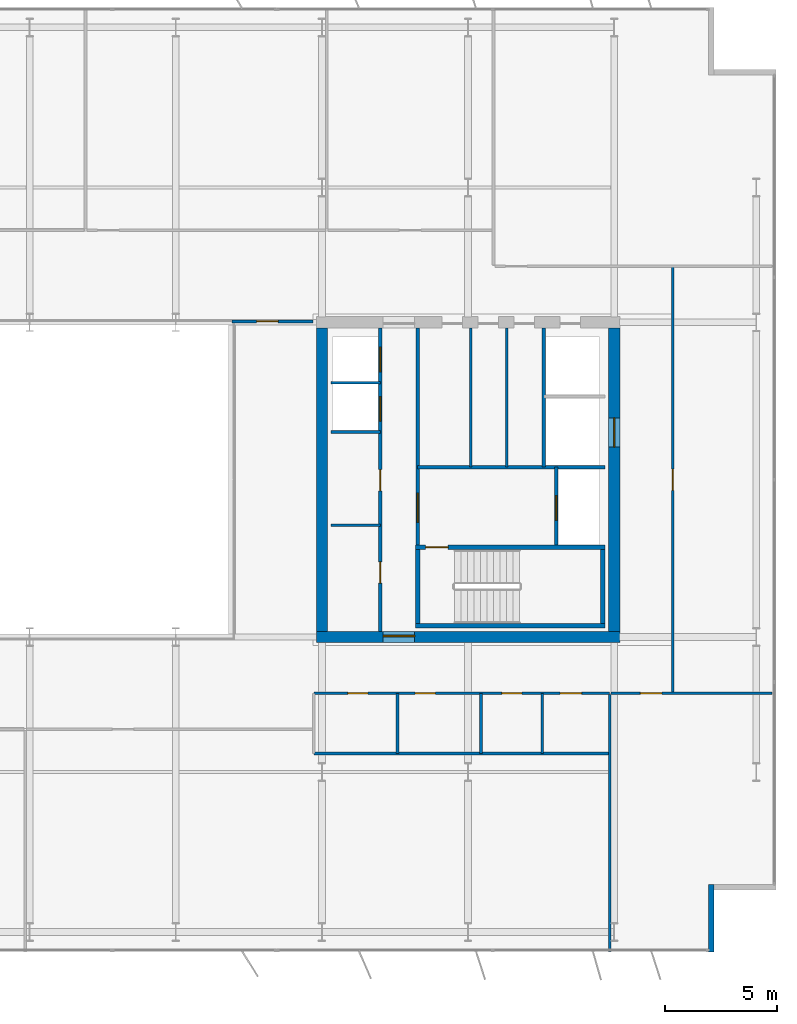
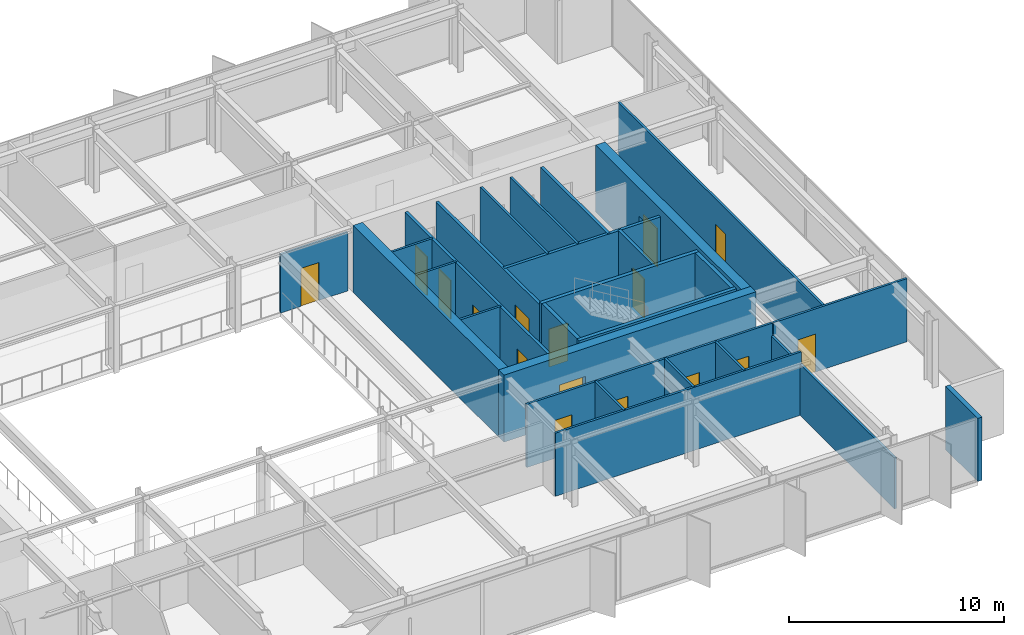
# One storey, part 18 of 23: 27 walls, 16 doors, 16 openings.
"""IFC4 building model written with IfcOpenShell, lengths in metres."""

from ifc_helpers import new_model, si_unit, direction, frame, frame_2d, origin, place, context, subcontext, project, spatial, rectangle, extrude, material, layer, layer_set, type_object, element, fill, save


model = new_model("IFC4")

# Units and contexts
model_context = context("Model", 3, precision=1e-05, world=origin(), true_north=direction((0.0, 1.0)))
body_context = subcontext(model_context, "Body", "Model", "MODEL_VIEW")
ifc_project = project(units=[si_unit("LENGTHUNIT", "METRE"), si_unit("AREAUNIT", "SQUARE_METRE"), si_unit("VOLUMEUNIT", "CUBIC_METRE"), si_unit("PLANEANGLEUNIT", "RADIAN"), si_unit("MASSUNIT", "GRAM", prefix="KILO")], contexts=[model_context])

# Site, building, storey
site_placement = place(None, origin())
site = spatial("IfcSite", under=ifc_project, at=site_placement, CompositionType="ELEMENT")
building_placement = place(site_placement, origin())
building = spatial("IfcBuilding", under=site, at=building_placement, Name="Putna Gate Headquarters", CompositionType="ELEMENT")
storey_placement = place(building_placement, frame((0.0, 0.0, 213.800048828125)))
storey = spatial("IfcBuildingStorey", under=building, at=storey_placement, Name="L53", CompositionType="ELEMENT", Elevation=213.800048828125)

# Wall, opening, door
ifc_material_1 = material(Name="Concrete C50/60", Category="concrete")
ifc_layer_1 = layer(ifc_material_1, 0.5)
ifc_layer_set_1 = layer_set([ifc_layer_1], Name="Concrete C50/60")
wall_type_1 = type_object("IfcWallType", Name="WALL-CORE-500", PredefinedType="SHEAR", material=ifc_layer_set_1)
wall_1_placement = place(storey_placement, frame((51.75, 19.0, 0.0), z_axis=(0.0, 0.0, 1.0), x_axis=(1.0, 0.0, 0.0)))
wall_1 = element("IfcWall", 1, at=wall_1_placement, inside=storey, type_object=wall_type_1, Name="L53 EC Split Core Shear Wall S", PredefinedType="SHEAR", context=body_context, shape_type="SweptSolid", body=[
    extrude(rectangle(XDim=13.5, YDim=0.5, at=frame_2d((6.75, 0.0))), origin(), (0.0, 0.0, 1.0), 3.800048828125),
])
opening_1_placement = place(wall_1_placement, frame((2.969970703125, 0.0, 0.0)))
opening_1 = element("IfcOpeningElement", 2, at=opening_1_placement, cuts=wall_1, Name="Opening FDD-140", PredefinedType="OPENING", context=body_context, shape_type="SweptSolid", body=[
    extrude(rectangle(XDim=1.39990234375, YDim=2.199951171875, at=frame_2d((0.699951171875, 1.10009765625))), frame((0.0, 0.260009765625, 0.0), z_axis=(0.0, -1.0, 0.0), x_axis=(1.0, 0.0, 0.0)), (0.0, 0.0, 1.0), 0.52001953125),
])
ifc_material_2 = material(Name="Double steel fire door", Category="steel")
door_type_1 = type_object("IfcDoorType", Name="DOOR-FIRE-DBL-1400", OperationType="DOUBLE_DOOR_SINGLE_SWING", PredefinedType="DOOR", material=ifc_material_2)
door_1_placement = place(opening_1_placement, origin())
door_1 = element("IfcDoor", 3, at=door_1_placement, inside=storey, type_object=door_type_1, Name="L53 East Lift Lobby South Door", OperationType="DOUBLE_DOOR_SINGLE_SWING", OverallHeight=2.199951171875, OverallWidth=1.39990234375, PredefinedType="DOOR", context=body_context, shape_type="SweptSolid", body=[
    extrude(rectangle(XDim=1.39990234375, YDim=2.199951171875, at=frame_2d((0.699951171875, 1.10009765625))), frame((0.0, 0.0751953125, 0.0), z_axis=(0.0, -1.0, 0.0), x_axis=(1.0, 0.0, 0.0)), (0.0, 0.0, 1.0), 0.050048828125),
])
fill(opening_1, door_1)

# Wall
wall_2_placement = place(storey_placement, frame((52.0, 19.25, 0.0), z_axis=(0.0, 0.0, 1.0), x_axis=(0.0, 1.0, 0.0)))
element("IfcWall", 4, at=wall_2_placement, inside=storey, type_object=wall_type_1, Name="L53 EC Split Core Shear Wall W", PredefinedType="SHEAR", context=body_context, shape_type="SweptSolid", body=[
    extrude(rectangle(XDim=13.5, YDim=0.5, at=frame_2d((6.75, 0.0))), origin(), (0.0, 0.0, 1.0), 3.800048828125),
])

# Wall, opening, door
wall_3_placement = place(storey_placement, frame((65.0, 19.25, 0.0), z_axis=(0.0, 0.0, 1.0), x_axis=(0.0, 1.0, 0.0)))
wall_3 = element("IfcWall", 5, at=wall_3_placement, inside=storey, type_object=wall_type_1, Name="L53 EC Split Core Shear Wall E", PredefinedType="SHEAR", context=body_context, shape_type="SweptSolid", body=[
    extrude(rectangle(XDim=13.5, YDim=0.5, at=frame_2d((6.75, 0.0))), origin(), (0.0, 0.0, 1.0), 3.800048828125),
])
opening_2_placement = place(wall_3_placement, frame((8.199951171875, 0.0, 0.0)))
opening_2 = element("IfcOpeningElement", 6, at=opening_2_placement, cuts=wall_3, Name="Opening LD-2", PredefinedType="OPENING", context=body_context, shape_type="SweptSolid", body=[
    extrude(rectangle(XDim=1.300048828125, YDim=2.199951171875, at=frame_2d((0.64990234375, 1.10009765625))), frame((0.0, 0.260009765625, 0.0), z_axis=(0.0, -1.0, 0.0), x_axis=(1.0, 0.0, 0.0)), (0.0, 0.0, 1.0), 0.52001953125),
])
ifc_material_3 = material(Name="Heavy-duty goods lift sliding landing door")
door_type_2 = type_object("IfcDoorType", Name="DOOR-LIFT-1300", OperationType="DOUBLE_DOOR_SLIDING", PredefinedType="DOOR", material=ifc_material_3)
door_2_placement = place(opening_2_placement, origin())
door_2 = element("IfcDoor", 7, at=door_2_placement, inside=storey, type_object=door_type_2, Name="L53 Goods Lift Landing Door LD-15", OperationType="DOUBLE_DOOR_SLIDING", OverallHeight=2.199951171875, OverallWidth=1.300048828125, PredefinedType="DOOR", context=body_context, shape_type="SweptSolid", body=[
    extrude(rectangle(XDim=1.300048828125, YDim=2.199951171875, at=frame_2d((0.64990234375, 1.10009765625))), frame((0.0, 0.02490234375, 0.0), z_axis=(0.0, -1.0, 0.0), x_axis=(1.0, 0.0, 0.0)), (0.0, 0.0, 1.0), 0.050048828125),
])
fill(opening_2, door_2)

# Wall
ifc_material_4 = material(Name="Precast concrete C40/50", Category="concrete")
ifc_layer_2 = layer(ifc_material_4, 0.239990234375)
ifc_layer_set_2 = layer_set([ifc_layer_2], Name="Precast concrete C40/50")
wall_type_2 = type_object("IfcWallType", Name="WALL-EXT-TERR-240", PredefinedType="STANDARD", material=ifc_layer_set_2)
wall_4_placement = place(storey_placement, frame((69.320068359375, 8.0, 0.0), z_axis=(0.0, 0.0, 1.0), x_axis=(0.0, -1.0, 0.0)))
element("IfcWall", 8, at=wall_4_placement, inside=storey, type_object=wall_type_2, Name="L53 Corner Notch Return Wall SE-V", PredefinedType="STANDARD", context=body_context, shape_type="SweptSolid", body=[
    extrude(rectangle(XDim=3.0, YDim=0.239990234375, at=frame_2d((1.5, 0.0))), origin(), (0.0, 0.0, 1.0), 3.579833984375),
])

# Wall, opening, door
ifc_material_5 = material(Name="Acoustic gypsum board on metal stud")
ifc_layer_3 = layer(ifc_material_5, 0.1201171875)
ifc_layer_set_3 = layer_set([ifc_layer_3], Name="Acoustic gypsum board on metal stud")
wall_type_3 = type_object("IfcWallType", Name="WALL-PART-120", PredefinedType="PARTITIONING", material=ifc_layer_set_3)
wall_5_placement = place(storey_placement, frame((48.0, 33.0400390625, 0.0), z_axis=(0.0, 0.0, 1.0), x_axis=(1.0, 0.0, 0.0)))
wall_5 = element("IfcWall", 9, at=wall_5_placement, inside=storey, type_object=wall_type_3, Name="L53 Interior Wall PART-L53-ATR-E-N", PredefinedType="PARTITIONING", context=body_context, shape_type="SweptSolid", body=[
    extrude(rectangle(XDim=3.60009765625, YDim=0.1201171875, at=frame_2d((1.800048828125, 0.0))), origin(), (0.0, 0.0, 1.0), 3.320068359375),
])
opening_3_placement = place(wall_5_placement, frame((1.10009765625, 0.0, 0.0)))
opening_3 = element("IfcOpeningElement", 10, at=opening_3_placement, cuts=wall_5, Name="Opening ID-95", PredefinedType="OPENING", context=body_context, shape_type="SweptSolid", body=[
    extrude(rectangle(XDim=0.949951171875, YDim=2.14990234375, at=frame_2d((0.47509765625, 1.074951171875))), frame((0.0, 0.070068359375, 0.0), z_axis=(0.0, -1.0, 0.0), x_axis=(1.0, 0.0, 0.0)), (0.0, 0.0, 1.0), 0.14013671875),
])
ifc_material_6 = material(Name="Veneered acoustic timber door", Category="wood")
door_type_3 = type_object("IfcDoorType", Name="DOOR-OFF-950", OperationType="NOTDEFINED", PredefinedType="DOOR", material=ifc_material_6)
door_3_placement = place(opening_3_placement, origin())
door_3 = element("IfcDoor", 11, at=door_3_placement, inside=storey, type_object=door_type_3, Name="L53 East Sky Atrium Lounge Door", OperationType="SINGLE_SWING_LEFT", OverallHeight=2.14990234375, OverallWidth=0.949951171875, PredefinedType="DOOR", context=body_context, shape_type="SweptSolid", body=[
    extrude(rectangle(XDim=0.949951171875, YDim=2.14990234375, at=frame_2d((0.47509765625, 1.074951171875))), frame((0.0, 0.02490234375, 0.0), z_axis=(0.0, -1.0, 0.0), x_axis=(1.0, 0.0, 0.0)), (0.0, 0.0, 1.0), 0.050048828125),
])
fill(opening_3, door_3)

# Walls
wall_6_placement = place(storey_placement, frame((64.800048828125, 5.02001953125, 0.0), z_axis=(0.0, 0.0, 1.0), x_axis=(0.0, 1.0, 0.0)))
element("IfcWall", 12, at=wall_6_placement, inside=storey, type_object=wall_type_3, Name="L53 Interior Wall PART-L53-SB-DIV-07", PredefinedType="PARTITIONING", context=body_context, shape_type="SweptSolid", body=[
    extrude(rectangle(XDim=11.419921875, YDim=0.1201171875, at=frame_2d((5.7099609375, 0.0))), origin(), (0.0, 0.0, 1.0), 2.8798828125),
])
ifc_material_7 = material(Name="Fire-rated shaftwall gypsum board on metal stud")
ifc_layer_4 = layer(ifc_material_7, 0.1201171875)
ifc_layer_set_4 = layer_set([ifc_layer_4], Name="Fire-rated shaftwall gypsum board on metal stud")
wall_type_4 = type_object("IfcWallType", Name="WALL-PART-120-EI120", PredefinedType="PARTITIONING", material=ifc_layer_set_4)
wall_7_placement = place(storey_placement, frame((52.39990234375, 30.31005859375, 0.0), z_axis=(0.0, 0.0, 1.0), x_axis=(1.0, 0.0, 0.0)))
element("IfcWall", 13, at=wall_7_placement, inside=storey, type_object=wall_type_4, Name="L53 Interior Wall CWINT-L53-EC-LF11-DIV", PredefinedType="PARTITIONING", context=body_context, shape_type="SweptSolid", body=[
    extrude(rectangle(XDim=2.2001953125, YDim=0.1201171875, at=frame_2d((1.10009765625, 0.0))), origin(), (0.0, 0.0, 1.0), 3.579833984375),
])
ifc_material_8 = material(Name="Fire-rated gypsum board on metal stud")
ifc_layer_5 = layer(ifc_material_8, 0.1201171875)
ifc_layer_set_5 = layer_set([ifc_layer_5], Name="Fire-rated gypsum board on metal stud")
wall_type_5 = type_object("IfcWallType", Name="WALL-PART-120-RATED", PredefinedType="PARTITIONING", material=ifc_layer_set_5)
for number, where, z_axis, x_axis, name in (
    (14, (52.39990234375, 23.969970703125, 0.0), (0.0, 0.0, 1.0), (1.0, 0.0, 0.0), "L53 Interior Wall CWINT-L53-EC-REUSE-DIV"),
    (15, (52.39990234375, 28.1201171875, 0.0), (0.0, 0.0, 1.0), (1.0, 0.0, 0.0), "L53 Interior Wall CWINT-L53-EC-LF08-DIV"),
):
    element("IfcWall", number, at=place(storey_placement, frame(where, z_axis=z_axis, x_axis=x_axis)), inside=storey, type_object=wall_type_5, Name=name, PredefinedType="PARTITIONING", context=body_context, shape_type="SweptSolid", body=[
        extrude(rectangle(XDim=2.2001953125, YDim=0.1201171875, at=frame_2d((1.10009765625, 0.0))), origin(), (0.0, 0.0, 1.0), 3.579833984375),
    ])
for number, where, z_axis, x_axis, name in (
    (16, (58.6201171875, 26.56005859375, 0.0), (0.0, 0.0, 1.0), (0.0, 1.0, 0.0), "L53 Interior Wall CWINT-L53-EC-K2-D1"),
    (17, (60.219970703125, 26.56005859375, 0.0), (0.0, 0.0, 1.0), (0.0, 1.0, 0.0), "L53 Interior Wall CWINT-L53-EC-K2-D2"),
):
    element("IfcWall", number, at=place(storey_placement, frame(where, z_axis=z_axis, x_axis=x_axis)), inside=storey, type_object=wall_type_5, Name=name, PredefinedType="PARTITIONING", context=body_context, shape_type="SweptSolid", body=[
        extrude(rectangle(XDim=6.18994140625, YDim=0.1201171875, at=frame_2d((3.094970703125, 0.0))), origin(), (0.0, 0.0, 1.0), 3.579833984375),
    ])

# Wall, openings, doors
wall_8_placement = place(storey_placement, frame((51.639892578125, 16.5, 0.0), z_axis=(0.0, 0.0, 1.0), x_axis=(1.0, 0.0, 0.0)))
wall_8 = element("IfcWall", 18, at=wall_8_placement, inside=storey, type_object=wall_type_5, Name="L53 Interior Wall PART-L53-SAN-CW", PredefinedType="PARTITIONING", context=body_context, shape_type="SweptSolid", body=[
    extrude(rectangle(XDim=13.16015625, YDim=0.1201171875, at=frame_2d((6.580078125, 0.0))), origin(), (0.0, 0.0, 1.0), 3.579833984375),
])
opening_4_placement = place(wall_8_placement, frame((1.510009765625, 0.0, 0.0)))
opening_4 = element("IfcOpeningElement", 19, at=opening_4_placement, cuts=wall_8, Name="Opening FD-90", PredefinedType="OPENING", context=body_context, shape_type="SweptSolid", body=[
    extrude(rectangle(XDim=0.89990234375, YDim=2.14990234375, at=frame_2d((0.449951171875, 1.074951171875))), frame((0.0, 0.070068359375, 0.0), z_axis=(0.0, -1.0, 0.0), x_axis=(1.0, 0.0, 0.0)), (0.0, 0.0, 1.0), 0.14013671875),
])
opening_5_placement = place(wall_8_placement, frame((4.510009765625, 0.0, 0.0)))
opening_5 = element("IfcOpeningElement", 20, at=opening_5_placement, cuts=wall_8, Name="Opening FD-90", PredefinedType="OPENING", context=body_context, shape_type="SweptSolid", body=[
    extrude(rectangle(XDim=0.89990234375, YDim=2.14990234375, at=frame_2d((0.449951171875, 1.074951171875))), frame((0.0, 0.070068359375, 0.0), z_axis=(0.0, -1.0, 0.0), x_axis=(1.0, 0.0, 0.0)), (0.0, 0.0, 1.0), 0.14013671875),
])
opening_6_placement = place(wall_8_placement, frame((8.360107421875, 0.0, 0.0)))
opening_6 = element("IfcOpeningElement", 21, at=opening_6_placement, cuts=wall_8, Name="Opening FD-90", PredefinedType="OPENING", context=body_context, shape_type="SweptSolid", body=[
    extrude(rectangle(XDim=0.89990234375, YDim=2.14990234375, at=frame_2d((0.449951171875, 1.074951171875))), frame((0.0, 0.070068359375, 0.0), z_axis=(0.0, -1.0, 0.0), x_axis=(1.0, 0.0, 0.0)), (0.0, 0.0, 1.0), 0.14013671875),
])
opening_7_placement = place(wall_8_placement, frame((10.9599609375, 0.0, 0.0)))
opening_7 = element("IfcOpeningElement", 22, at=opening_7_placement, cuts=wall_8, Name="Opening FD-95", PredefinedType="OPENING", context=body_context, shape_type="SweptSolid", body=[
    extrude(rectangle(XDim=0.949951171875, YDim=2.14990234375, at=frame_2d((0.47509765625, 1.074951171875))), frame((0.0, 0.070068359375, 0.0), z_axis=(0.0, -1.0, 0.0), x_axis=(1.0, 0.0, 0.0)), (0.0, 0.0, 1.0), 0.14013671875),
])
ifc_material_9 = material(Name="Acoustic washroom fire door")
door_type_4 = type_object("IfcDoorType", Name="DOOR-FIRE-900", OperationType="NOTDEFINED", PredefinedType="DOOR", material=ifc_material_9)
door_4_placement = place(opening_4_placement, origin())
door_4 = element("IfcDoor", 23, at=door_4_placement, inside=storey, type_object=door_type_4, Name="L53 Washroom Male Door", OperationType="SINGLE_SWING_RIGHT", OverallHeight=2.14990234375, OverallWidth=0.89990234375, PredefinedType="DOOR", context=body_context, shape_type="SweptSolid", body=[
    extrude(rectangle(XDim=0.89990234375, YDim=2.14990234375, at=frame_2d((0.449951171875, 1.074951171875))), frame((0.0, 0.02490234375, 0.0), z_axis=(0.0, -1.0, 0.0), x_axis=(1.0, 0.0, 0.0)), (0.0, 0.0, 1.0), 0.050048828125),
])
fill(opening_4, door_4)
door_5_placement = place(opening_5_placement, origin())
door_5 = element("IfcDoor", 24, at=door_5_placement, inside=storey, type_object=door_type_4, Name="L53 Washroom Female Door", OperationType="SINGLE_SWING_LEFT", OverallHeight=2.14990234375, OverallWidth=0.89990234375, PredefinedType="DOOR", context=body_context, shape_type="SweptSolid", body=[
    extrude(rectangle(XDim=0.89990234375, YDim=2.14990234375, at=frame_2d((0.449951171875, 1.074951171875))), frame((0.0, 0.02490234375, 0.0), z_axis=(0.0, -1.0, 0.0), x_axis=(1.0, 0.0, 0.0)), (0.0, 0.0, 1.0), 0.050048828125),
])
fill(opening_5, door_5)
door_6_placement = place(opening_6_placement, origin())
door_6 = element("IfcDoor", 25, at=door_6_placement, inside=storey, type_object=door_type_4, Name="L53 Accessible WC Door", OperationType="SINGLE_SWING_RIGHT", OverallHeight=2.14990234375, OverallWidth=0.89990234375, PredefinedType="DOOR", context=body_context, shape_type="SweptSolid", body=[
    extrude(rectangle(XDim=0.89990234375, YDim=2.14990234375, at=frame_2d((0.449951171875, 1.074951171875))), frame((0.0, 0.02490234375, 0.0), z_axis=(0.0, -1.0, 0.0), x_axis=(1.0, 0.0, 0.0)), (0.0, 0.0, 1.0), 0.050048828125),
])
fill(opening_6, door_6)
ifc_material_10 = material(Name="Acoustic timber fire door", Category="wood")
door_type_5 = type_object("IfcDoorType", Name="DOOR-FIRE-950", OperationType="NOTDEFINED", PredefinedType="DOOR", material=ifc_material_10)
door_7_placement = place(opening_7_placement, origin())
door_7 = element("IfcDoor", 26, at=door_7_placement, inside=storey, type_object=door_type_5, Name="L53 Staff Pantry and Tea Point Door", OperationType="SINGLE_SWING_LEFT", OverallHeight=2.14990234375, OverallWidth=0.949951171875, PredefinedType="DOOR", context=body_context, shape_type="SweptSolid", body=[
    extrude(rectangle(XDim=0.949951171875, YDim=2.14990234375, at=frame_2d((0.47509765625, 1.074951171875))), frame((0.0, 0.02490234375, 0.0), z_axis=(0.0, -1.0, 0.0), x_axis=(1.0, 0.0, 0.0)), (0.0, 0.0, 1.0), 0.050048828125),
])
fill(opening_7, door_7)

# Walls
wall_9_placement = place(storey_placement, frame((51.639892578125, 13.820068359375, 0.0), z_axis=(0.0, 0.0, 1.0), x_axis=(1.0, 0.0, 0.0)))
element("IfcWall", 27, at=wall_9_placement, inside=storey, type_object=wall_type_5, Name="L53 Interior Wall PART-L53-SAN-BACK", PredefinedType="PARTITIONING", context=body_context, shape_type="SweptSolid", body=[
    extrude(rectangle(XDim=13.16015625, YDim=0.1201171875, at=frame_2d((6.580078125, 0.0))), origin(), (0.0, 0.0, 1.0), 3.579833984375),
])
for number, where, z_axis, x_axis, name in (
    (28, (55.360107421875, 13.820068359375, 0.0), (0.0, 0.0, 1.0), (0.0, 1.0, 0.0), "L53 Interior Wall PART-L53-SAN-DIV-2"),
    (29, (59.080078125, 13.820068359375, 0.0), (0.0, 0.0, 1.0), (0.0, 1.0, 0.0), "L53 Interior Wall PART-L53-SAN-DIV-3"),
    (30, (61.800048828125, 13.820068359375, 0.0), (0.0, 0.0, 1.0), (0.0, 1.0, 0.0), "L53 Interior Wall PART-L53-SAN-DIV-4"),
):
    element("IfcWall", number, at=place(storey_placement, frame(where, z_axis=z_axis, x_axis=x_axis)), inside=storey, type_object=wall_type_5, Name=name, PredefinedType="PARTITIONING", context=body_context, shape_type="SweptSolid", body=[
        extrude(rectangle(XDim=2.679931640625, YDim=0.1201171875, at=frame_2d((1.33984375, 0.0))), origin(), (0.0, 0.0, 1.0), 3.579833984375),
    ])

# Wall, opening, door
wall_10_placement = place(storey_placement, frame((64.860107421875, 16.5, 0.0), z_axis=(0.0, 0.0, 1.0), x_axis=(1.0, 0.0, 0.0)))
wall_10 = element("IfcWall", 31, at=wall_10_placement, inside=storey, type_object=wall_type_5, Name="L53 Interior Wall PART-L53-SB-CW-08", PredefinedType="PARTITIONING", context=body_context, shape_type="SweptSolid", body=[
    extrude(rectangle(XDim=7.159912109375, YDim=0.1201171875, at=frame_2d((3.580078125, 0.0))), origin(), (0.0, 0.0, 1.0), 3.579833984375),
])
opening_8_placement = place(wall_10_placement, frame((1.31005859375, 0.0, 0.0)))
opening_8 = element("IfcOpeningElement", 32, at=opening_8_placement, cuts=wall_10, Name="Opening FD-95", PredefinedType="OPENING", context=body_context, shape_type="SweptSolid", body=[
    extrude(rectangle(XDim=0.949951171875, YDim=2.14990234375, at=frame_2d((0.47509765625, 1.074951171875))), frame((0.0, 0.070068359375, 0.0), z_axis=(0.0, -1.0, 0.0), x_axis=(1.0, 0.0, 0.0)), (0.0, 0.0, 1.0), 0.14013671875),
])
door_8_placement = place(opening_8_placement, origin())
door_8 = element("IfcDoor", 33, at=door_8_placement, inside=storey, type_object=door_type_5, Name="L53 Quiet Wellness Focus Studio 3 Door", OperationType="SINGLE_SWING_LEFT", OverallHeight=2.14990234375, OverallWidth=0.949951171875, PredefinedType="DOOR", context=body_context, shape_type="SweptSolid", body=[
    extrude(rectangle(XDim=0.949951171875, YDim=2.14990234375, at=frame_2d((0.47509765625, 1.074951171875))), frame((0.0, 0.02490234375, 0.0), z_axis=(0.0, -1.0, 0.0), x_axis=(1.0, 0.0, 0.0)), (0.0, 0.0, 1.0), 0.050048828125),
])
fill(opening_8, door_8)

wall_11_placement = place(storey_placement, frame((67.60009765625, 16.5, 0.0), z_axis=(0.0, 0.0, 1.0), x_axis=(0.0, 1.0, 0.0)))
wall_11 = element("IfcWall", 34, at=wall_11_placement, inside=storey, type_object=wall_type_5, Name="L53 Interior Wall PART-L53-EW-CW-1", PredefinedType="PARTITIONING", context=body_context, shape_type="SweptSolid", body=[
    extrude(rectangle(XDim=19.0, YDim=0.1201171875, at=frame_2d((9.5, 0.0))), origin(), (0.0, 0.0, 1.0), 3.579833984375),
])
opening_9_placement = place(wall_11_placement, frame((9.02490234375, 0.0, 0.0)))
opening_9 = element("IfcOpeningElement", 35, at=opening_9_placement, cuts=wall_11, Name="Opening FD-95", PredefinedType="OPENING", context=body_context, shape_type="SweptSolid", body=[
    extrude(rectangle(XDim=0.949951171875, YDim=2.14990234375, at=frame_2d((0.47509765625, 1.074951171875))), frame((0.0, 0.070068359375, 0.0), z_axis=(0.0, -1.0, 0.0), x_axis=(1.0, 0.0, 0.0)), (0.0, 0.0, 1.0), 0.14013671875),
])
door_9_placement = place(opening_9_placement, origin())
door_9 = element("IfcDoor", 36, at=door_9_placement, inside=storey, type_object=door_type_5, Name="L53 East Advisory Office 1 Door", OperationType="SINGLE_SWING_RIGHT", OverallHeight=2.14990234375, OverallWidth=0.949951171875, PredefinedType="DOOR", context=body_context, shape_type="SweptSolid", body=[
    extrude(rectangle(XDim=0.949951171875, YDim=2.14990234375, at=frame_2d((0.47509765625, 1.074951171875))), frame((0.0, 0.02490234375, 0.0), z_axis=(0.0, -1.0, 0.0), x_axis=(1.0, 0.0, 0.0)), (0.0, 0.0, 1.0), 0.050048828125),
])
fill(opening_9, door_9)

# Wall, openings, doors
ifc_material_11 = material(Name="Concrete C40/50", Category="concrete")
ifc_layer_6 = layer(ifc_material_11, 0.159912109375)
ifc_layer_set_6 = layer_set([ifc_layer_6], Name="Concrete C40/50")
wall_type_6 = type_object("IfcWallType", Name="WALL-SHAFT-160", PredefinedType="STANDARD", material=ifc_layer_set_6)
wall_12_placement = place(storey_placement, frame((54.60009765625, 19.25, 0.0), z_axis=(0.0, 0.0, 1.0), x_axis=(0.0, 1.0, 0.0)))
wall_12 = element("IfcWall", 37, at=wall_12_placement, inside=storey, type_object=wall_type_6, Name="L53 Interior Wall CWINT-L53-EC-PL-WALL", PredefinedType="STANDARD", context=body_context, shape_type="SweptSolid", body=[
    extrude(rectangle(XDim=13.5, YDim=0.159912109375, at=frame_2d((6.75, 0.0))), origin(), (0.0, 0.0, 1.0), 3.579833984375),
])
opening_10_placement = place(wall_12_placement, frame((2.14990234375, 0.0, 0.0)))
opening_10 = element("IfcOpeningElement", 38, at=opening_10_placement, cuts=wall_12, Name="Opening IDS-95", PredefinedType="OPENING", context=body_context, shape_type="SweptSolid", body=[
    extrude(rectangle(XDim=0.949951171875, YDim=2.14990234375, at=frame_2d((0.47509765625, 1.074951171875))), frame((0.0, 0.08984375, 0.0), z_axis=(0.0, -1.0, 0.0), x_axis=(1.0, 0.0, 0.0)), (0.0, 0.0, 1.0), 0.179931640625),
])
opening_11_placement = place(wall_12_placement, frame((6.25, 0.0, 0.0)))
opening_11 = element("IfcOpeningElement", 39, at=opening_11_placement, cuts=wall_12, Name="Opening IDS-95", PredefinedType="OPENING", context=body_context, shape_type="SweptSolid", body=[
    extrude(rectangle(XDim=0.949951171875, YDim=2.14990234375, at=frame_2d((0.47509765625, 1.074951171875))), frame((0.0, 0.08984375, 0.0), z_axis=(0.0, -1.0, 0.0), x_axis=(1.0, 0.0, 0.0)), (0.0, 0.0, 1.0), 0.179931640625),
])
opening_12_placement = place(wall_12_placement, frame((9.35009765625, 0.0, 0.0)))
opening_12 = element("IfcOpeningElement", 40, at=opening_12_placement, cuts=wall_12, Name="Opening LD-1", PredefinedType="OPENING", context=body_context, shape_type="SweptSolid", body=[
    extrude(rectangle(XDim=1.10009765625, YDim=2.199951171875, at=frame_2d((0.550048828125, 1.10009765625))), frame((0.0, 0.08984375, 0.0), z_axis=(0.0, -1.0, 0.0), x_axis=(1.0, 0.0, 0.0)), (0.0, 0.0, 1.0), 0.179931640625),
])
opening_13_placement = place(wall_12_placement, frame((11.550048828125, 0.0, 0.0)))
opening_13 = element("IfcOpeningElement", 41, at=opening_13_placement, cuts=wall_12, Name="Opening LD-1", PredefinedType="OPENING", context=body_context, shape_type="SweptSolid", body=[
    extrude(rectangle(XDim=1.10009765625, YDim=2.199951171875, at=frame_2d((0.550048828125, 1.10009765625))), frame((0.0, 0.08984375, 0.0), z_axis=(0.0, -1.0, 0.0), x_axis=(1.0, 0.0, 0.0)), (0.0, 0.0, 1.0), 0.179931640625),
])
ifc_material_12 = material(Name="Fire-rated service timber door", Category="wood")
door_type_6 = type_object("IfcDoorType", Name="DOOR-INT-950", OperationType="NOTDEFINED", PredefinedType="DOOR", material=ifc_material_12)
door_10_placement = place(opening_10_placement, origin())
door_10 = element("IfcDoor", 42, at=door_10_placement, inside=storey, type_object=door_type_6, Name="L53 Executive Archive Door", OperationType="SINGLE_SWING_RIGHT", OverallHeight=2.14990234375, OverallWidth=0.949951171875, PredefinedType="DOOR", context=body_context, shape_type="SweptSolid", body=[
    extrude(rectangle(XDim=0.949951171875, YDim=2.14990234375, at=frame_2d((0.47509765625, 1.074951171875))), frame((0.0, 0.02490234375, 0.0), z_axis=(0.0, -1.0, 0.0), x_axis=(1.0, 0.0, 0.0)), (0.0, 0.0, 1.0), 0.050048828125),
])
fill(opening_10, door_10)
door_11_placement = place(opening_11_placement, origin())
door_11 = element("IfcDoor", 43, at=door_11_placement, inside=storey, type_object=door_type_6, Name="L53 Comms Distribution Door", OperationType="SINGLE_SWING_LEFT", OverallHeight=2.14990234375, OverallWidth=0.949951171875, PredefinedType="DOOR", context=body_context, shape_type="SweptSolid", body=[
    extrude(rectangle(XDim=0.949951171875, YDim=2.14990234375, at=frame_2d((0.47509765625, 1.074951171875))), frame((0.0, 0.02490234375, 0.0), z_axis=(0.0, -1.0, 0.0), x_axis=(1.0, 0.0, 0.0)), (0.0, 0.0, 1.0), 0.050048828125),
])
fill(opening_11, door_11)
ifc_material_13 = material(Name="Brushed bronze stainless lift landing door")
door_type_7 = type_object("IfcDoorType", Name="DOOR-LIFT-1100", OperationType="DOUBLE_DOOR_SLIDING", PredefinedType="DOOR", material=ifc_material_13)
door_12_placement = place(opening_12_placement, origin())
door_12 = element("IfcDoor", 44, at=door_12_placement, inside=storey, type_object=door_type_7, Name="L53 Lift Landing Door LD-11", OperationType="DOUBLE_DOOR_SLIDING", OverallHeight=2.199951171875, OverallWidth=1.10009765625, PredefinedType="DOOR", context=body_context, shape_type="SweptSolid", body=[
    extrude(rectangle(XDim=1.10009765625, YDim=2.199951171875, at=frame_2d((0.550048828125, 1.10009765625))), frame((0.0, 0.02490234375, 0.0), z_axis=(0.0, -1.0, 0.0), x_axis=(1.0, 0.0, 0.0)), (0.0, 0.0, 1.0), 0.050048828125),
])
fill(opening_12, door_12)
door_13_placement = place(opening_13_placement, origin())
door_13 = element("IfcDoor", 45, at=door_13_placement, inside=storey, type_object=door_type_7, Name="L53 Lift Landing Door LD-12", OperationType="DOUBLE_DOOR_SLIDING", OverallHeight=2.199951171875, OverallWidth=1.10009765625, PredefinedType="DOOR", context=body_context, shape_type="SweptSolid", body=[
    extrude(rectangle(XDim=1.10009765625, YDim=2.199951171875, at=frame_2d((0.550048828125, 1.10009765625))), frame((0.0, 0.02490234375, 0.0), z_axis=(0.0, -1.0, 0.0), x_axis=(1.0, 0.0, 0.0)), (0.0, 0.0, 1.0), 0.050048828125),
])
fill(opening_13, door_13)

# Wall, opening, door
wall_13_placement = place(storey_placement, frame((56.260009765625, 23.090087890625, 0.0), z_axis=(0.0, 0.0, 1.0), x_axis=(0.0, 1.0, 0.0)))
wall_13 = element("IfcWall", 46, at=wall_13_placement, inside=storey, type_object=wall_type_6, Name="L53 Interior Wall CWINT-L53-EC-LOB-E", PredefinedType="STANDARD", context=body_context, shape_type="SweptSolid", body=[
    extrude(rectangle(XDim=9.659912109375, YDim=0.159912109375, at=frame_2d((4.830078125, 0.0))), origin(), (0.0, 0.0, 1.0), 3.579833984375),
])
opening_14_placement = place(wall_13_placement, frame((1.010009765625, 0.0, 0.0)))
opening_14 = element("IfcOpeningElement", 47, at=opening_14_placement, cuts=wall_13, Name="Opening FDD-130", PredefinedType="OPENING", context=body_context, shape_type="SweptSolid", body=[
    extrude(rectangle(XDim=1.300048828125, YDim=2.199951171875, at=frame_2d((0.64990234375, 1.10009765625))), frame((0.0, 0.08984375, 0.0), z_axis=(0.0, -1.0, 0.0), x_axis=(1.0, 0.0, 0.0)), (0.0, 0.0, 1.0), 0.179931640625),
])
ifc_material_14 = material(Name="Double steel lobby fire door", Category="steel")
door_type_8 = type_object("IfcDoorType", Name="DOOR-FIRE-DBL-1300", OperationType="DOUBLE_DOOR_SINGLE_SWING", PredefinedType="DOOR", material=ifc_material_14)
door_14_placement = place(opening_14_placement, origin())
door_14 = element("IfcDoor", 48, at=door_14_placement, inside=storey, type_object=door_type_8, Name="L53 East Firefighting Lobby Door", OperationType="DOUBLE_DOOR_SINGLE_SWING", OverallHeight=2.199951171875, OverallWidth=1.300048828125, PredefinedType="DOOR", context=body_context, shape_type="SweptSolid", body=[
    extrude(rectangle(XDim=1.300048828125, YDim=2.199951171875, at=frame_2d((0.64990234375, 1.10009765625))), frame((0.0, 0.02490234375, 0.0), z_axis=(0.0, -1.0, 0.0), x_axis=(1.0, 0.0, 0.0)), (0.0, 0.0, 1.0), 0.050048828125),
])
fill(opening_14, door_14)

wall_14_placement = place(storey_placement, frame((62.429931640625, 23.090087890625, 0.0), z_axis=(0.0, 0.0, 1.0), x_axis=(0.0, 1.0, 0.0)))
wall_14 = element("IfcWall", 49, at=wall_14_placement, inside=storey, type_object=wall_type_6, Name="L53 Interior Wall CWINT-L53-EC-LF14-W", PredefinedType="STANDARD", context=body_context, shape_type="SweptSolid", body=[
    extrude(rectangle(XDim=3.469970703125, YDim=0.159912109375, at=frame_2d((1.73486328125, 0.0))), origin(), (0.0, 0.0, 1.0), 3.579833984375),
])
opening_15_placement = place(wall_14_placement, frame((1.10009765625, 0.0, 0.0)))
opening_15 = element("IfcOpeningElement", 50, at=opening_15_placement, cuts=wall_14, Name="Opening LD-1", PredefinedType="OPENING", context=body_context, shape_type="SweptSolid", body=[
    extrude(rectangle(XDim=1.10009765625, YDim=2.199951171875, at=frame_2d((0.550048828125, 1.10009765625))), frame((0.0, 0.08984375, 0.0), z_axis=(0.0, -1.0, 0.0), x_axis=(1.0, 0.0, 0.0)), (0.0, 0.0, 1.0), 0.179931640625),
])
door_15_placement = place(opening_15_placement, origin())
door_15 = element("IfcDoor", 51, at=door_15_placement, inside=storey, type_object=door_type_7, Name="L53 Lift Landing Door LD-14", OperationType="DOUBLE_DOOR_SLIDING", OverallHeight=2.199951171875, OverallWidth=1.10009765625, PredefinedType="DOOR", context=body_context, shape_type="SweptSolid", body=[
    extrude(rectangle(XDim=1.10009765625, YDim=2.199951171875, at=frame_2d((0.550048828125, 1.10009765625))), frame((0.0, 0.02490234375, 0.0), z_axis=(0.0, -1.0, 0.0), x_axis=(1.0, 0.0, 0.0)), (0.0, 0.0, 1.0), 0.050048828125),
])
fill(opening_15, door_15)

# Walls
wall_15_placement = place(storey_placement, frame((56.260009765625, 26.56005859375, 0.0), z_axis=(0.0, 0.0, 1.0), x_axis=(1.0, 0.0, 0.0)))
element("IfcWall", 52, at=wall_15_placement, inside=storey, type_object=wall_type_6, Name="L53 Interior Wall CWINT-L53-EC-FFL-N", PredefinedType="STANDARD", context=body_context, shape_type="SweptSolid", body=[
    extrude(rectangle(XDim=8.340087890625, YDim=0.159912109375, at=frame_2d((4.169921875, 0.0))), origin(), (0.0, 0.0, 1.0), 3.579833984375),
])
wall_16_placement = place(storey_placement, frame((61.8701171875, 26.56005859375, 0.0), z_axis=(0.0, 0.0, 1.0), x_axis=(0.0, 1.0, 0.0)))
element("IfcWall", 53, at=wall_16_placement, inside=storey, type_object=wall_type_6, Name="L53 Interior Wall CWINT-L53-EC-LF15-W", PredefinedType="STANDARD", context=body_context, shape_type="SweptSolid", body=[
    extrude(rectangle(XDim=6.18994140625, YDim=0.159912109375, at=frame_2d((3.094970703125, 0.0))), origin(), (0.0, 0.0, 1.0), 3.579833984375),
])
ifc_layer_7 = layer(ifc_material_11, 0.199951171875)
ifc_layer_set_7 = layer_set([ifc_layer_7], Name="Concrete C40/50")
wall_type_7 = type_object("IfcWallType", Name="WALL-SHAFT-RC200", PredefinedType="SHEAR", material=ifc_layer_set_7)
wall_17_placement = place(storey_placement, frame((56.159912109375, 19.510009765625, 0.0), z_axis=(0.0, 0.0, 1.0), x_axis=(1.0, 0.0, 0.0)))
element("IfcWall", 54, at=wall_17_placement, inside=storey, type_object=wall_type_7, Name="L53 Stair ST2 Structural Shaft Wall S", PredefinedType="SHEAR", context=body_context, shape_type="SweptSolid", body=[
    extrude(rectangle(XDim=8.43017578125, YDim=0.199951171875, at=frame_2d((4.215087890625, 0.0))), origin(), (0.0, 0.0, 1.0), 3.800048828125),
])

# Wall, opening, door
wall_18_placement = place(storey_placement, frame((56.159912109375, 22.989990234375, 0.0), z_axis=(0.0, 0.0, 1.0), x_axis=(1.0, 0.0, 0.0)))
wall_18 = element("IfcWall", 55, at=wall_18_placement, inside=storey, type_object=wall_type_7, Name="L53 Stair ST2 Structural Shaft Wall N", PredefinedType="SHEAR", context=body_context, shape_type="SweptSolid", body=[
    extrude(rectangle(XDim=8.43017578125, YDim=0.199951171875, at=frame_2d((4.215087890625, 0.0))), origin(), (0.0, 0.0, 1.0), 3.800048828125),
])
opening_16_placement = place(wall_18_placement, frame((0.449951171875, 0.0, 0.0)))
opening_16 = element("IfcOpeningElement", 56, at=opening_16_placement, cuts=wall_18, Name="Opening FD-100", PredefinedType="OPENING", context=body_context, shape_type="SweptSolid", body=[
    extrude(rectangle(XDim=1.0, YDim=2.14990234375, at=frame_2d((0.5, 1.074951171875))), frame((0.0, 0.10986328125, 0.0), z_axis=(0.0, -1.0, 0.0), x_axis=(1.0, 0.0, 0.0)), (0.0, 0.0, 1.0), 0.219970703125),
])
ifc_material_15 = material(Name="Powder-coated steel fire door", Category="steel")
door_type_9 = type_object("IfcDoorType", Name="DOOR-FIRE-1000", OperationType="NOTDEFINED", PredefinedType="DOOR", material=ifc_material_15)
door_16_placement = place(opening_16_placement, origin())
door_16 = element("IfcDoor", 57, at=door_16_placement, inside=storey, type_object=door_type_9, Name="L53 Stair ST2 Fire Door", OperationType="SINGLE_SWING_RIGHT", OverallHeight=2.14990234375, OverallWidth=1.0, PredefinedType="DOOR", context=body_context, shape_type="SweptSolid", body=[
    extrude(rectangle(XDim=1.0, YDim=2.14990234375, at=frame_2d((0.5, 1.074951171875))), frame((0.0, 0.02490234375, 0.0), z_axis=(0.0, -1.0, 0.0), x_axis=(1.0, 0.0, 0.0)), (0.0, 0.0, 1.0), 0.050048828125),
])
fill(opening_16, door_16)

# Walls
for number, where, z_axis, x_axis, name in (
    (58, (56.260009765625, 19.610107421875, 0.0), (0.0, 0.0, 1.0), (0.0, 1.0, 0.0), "L53 Stair ST2 Structural Shaft Wall W"),
    (59, (64.489990234375, 19.610107421875, 0.0), (0.0, 0.0, 1.0), (0.0, 1.0, 0.0), "L53 Stair ST2 Structural Shaft Wall E"),
):
    element("IfcWall", number, at=place(storey_placement, frame(where, z_axis=z_axis, x_axis=x_axis)), inside=storey, type_object=wall_type_7, Name=name, PredefinedType="SHEAR", context=body_context, shape_type="SweptSolid", body=[
        extrude(rectangle(XDim=3.27978515625, YDim=0.199951171875, at=frame_2d((1.639892578125, 0.0))), origin(), (0.0, 0.0, 1.0), 3.800048828125),
    ])

save(model, "model.ifc")
